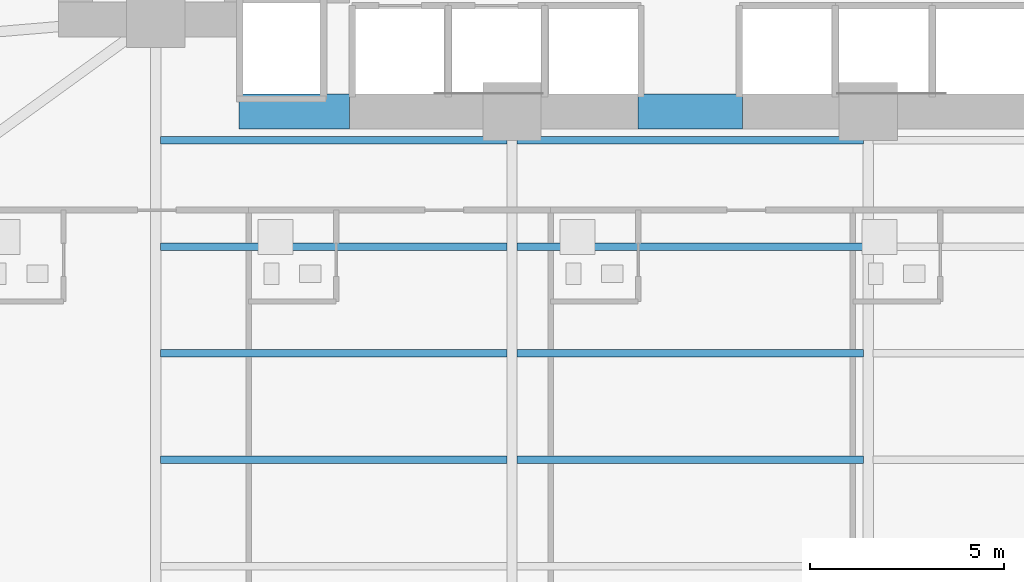
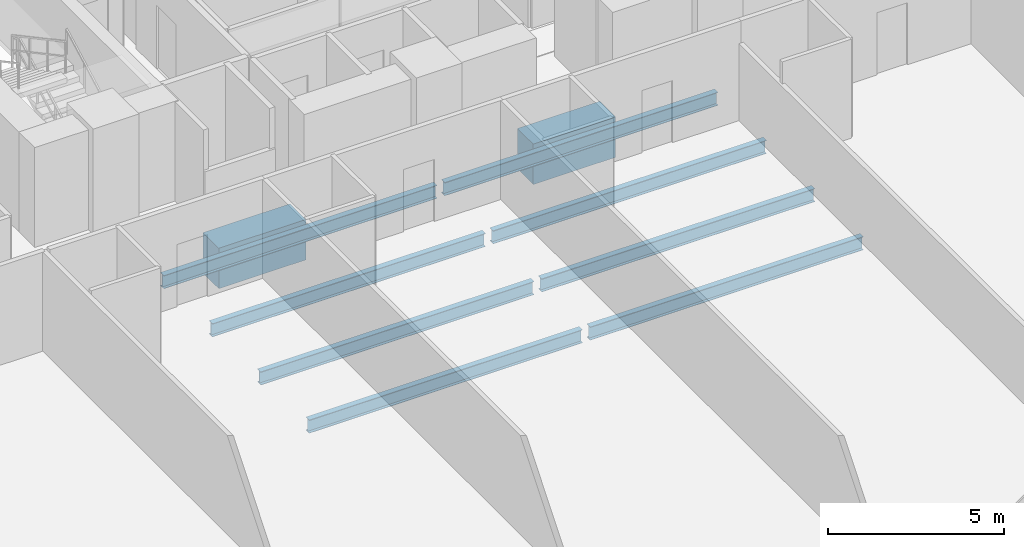
# One storey, part 7 of 28: 10 beams.
"""IFC4 building model written with IfcOpenShell, lengths in metres."""

from ifc_helpers import new_model, si_unit, direction, frame, origin, origin_2d, place, context, subcontext, project, spatial, rectangle, i_section, extrude, material, material_profile, profile_set, type_object, element, save


model = new_model("IFC4")

# Units and contexts
model_context = context("Model", 3, precision=1e-05, world=origin(), true_north=direction((0.0, 1.0)))
body_context = subcontext(model_context, "Body", "Model", "MODEL_VIEW")
ifc_project = project(units=[si_unit("LENGTHUNIT", "METRE"), si_unit("AREAUNIT", "SQUARE_METRE"), si_unit("VOLUMEUNIT", "CUBIC_METRE"), si_unit("PLANEANGLEUNIT", "RADIAN"), si_unit("MASSUNIT", "GRAM", prefix="KILO")], contexts=[model_context])

# Site, building, storey
site_placement = place(None, origin())
site = spatial("IfcSite", under=ifc_project, at=site_placement, CompositionType="ELEMENT")
building_placement = place(site_placement, origin())
building = spatial("IfcBuilding", under=site, at=building_placement, Name="Zuhayl Quay Hotel", CompositionType="ELEMENT")
storey_placement = place(building_placement, frame((0.0, 0.0, 49.5)))
storey = spatial("IfcBuildingStorey", under=building, at=storey_placement, Name="L11", CompositionType="ELEMENT", Elevation=49.5)

# Beams
ifc_material_1 = material(Name="Concrete C60/75", Category="concrete")
ifc_material_profile_1 = material_profile(ifc_material_1, rectangle(XDim=0.89990234375, YDim=1.39990234375, at=origin_2d()), Name="RC900X1400")
ifc_profile_set_1 = profile_set([ifc_material_profile_1], Name="Concrete C60/75")
beam_type_1 = type_object("IfcBeamType", Name="BM_CB1_RC900", PredefinedType="T_BEAM", material=ifc_profile_set_1)
beam_1_placement = place(storey_placement, frame((-11.64990234375, 2.14990234375, -0.919921875), z_axis=(1.0, 0.0, 0.0), x_axis=(0.0, 1.0, 0.0)))
element("IfcBeam", 1, at=beam_1_placement, inside=storey, type_object=beam_type_1, Name="L11 Core Coupling Beam SW", PredefinedType="T_BEAM", context=body_context, shape_type="SweptSolid", body=[
    extrude(rectangle(XDim=0.89990234375, YDim=1.39990234375, at=origin_2d()), origin(), (0.0, 0.0, 1.0), 2.849853515625),
])
beam_2_placement = place(storey_placement, frame((-1.35009765625, 2.14990234375, -0.919921875), z_axis=(1.0, 0.0, 0.0), x_axis=(0.0, 1.0, 0.0)))
element("IfcBeam", 2, at=beam_2_placement, inside=storey, type_object=beam_type_1, Name="L11 Core Coupling Beam South", PredefinedType="T_BEAM", context=body_context, shape_type="SweptSolid", body=[
    extrude(rectangle(XDim=0.89990234375, YDim=1.39990234375, at=origin_2d()), origin(), (0.0, 0.0, 1.0), 2.7001953125),
])
ifc_material_2 = material(Name="Steel ASTM A992 Grade 50", Category="steel")
ifc_material_profile_2 = material_profile(ifc_material_2, i_section(OverallWidth=0.18994140625, OverallDepth=0.45703125, WebThickness=0.009033203125, FlangeThickness=0.014404296875, at=origin_2d()), Name="W18X50")
ifc_profile_set_2 = profile_set([ifc_material_profile_2], Name="Steel ASTM A992 Grade 50")
beam_type_2 = type_object("IfcBeamType", Name="BM_J2_W18X50", PredefinedType="JOIST", material=ifc_profile_set_2)
beam_3_placement = place(storey_placement, frame((-13.674560546875, -6.85009765625, -0.448486328125), z_axis=(1.0, 0.0, 0.0), x_axis=(0.0, 1.0, 0.0)))
element("IfcBeam", 3, at=beam_3_placement, inside=storey, type_object=beam_type_2, Name="L11 Floor Beam FJ_L11_7_1", PredefinedType="JOIST", context=body_context, shape_type="SweptSolid", body=[
    extrude(i_section(OverallWidth=0.18994140625, OverallDepth=0.45703125, WebThickness=0.009033203125, FlangeThickness=0.014404296875, at=origin_2d()), origin(), (0.0, 0.0, 1.0), 8.948974609375),
])
beam_4_placement = place(storey_placement, frame((-4.474609375, -6.85009765625, -0.448486328125), z_axis=(1.0, 0.0, 0.0), x_axis=(0.0, 1.0, 0.0)))
element("IfcBeam", 4, at=beam_4_placement, inside=storey, type_object=beam_type_2, Name="L11 Floor Beam FJ_L11_7_2", PredefinedType="JOIST", context=body_context, shape_type="SweptSolid", body=[
    extrude(i_section(OverallWidth=0.18994140625, OverallDepth=0.45703125, WebThickness=0.009033203125, FlangeThickness=0.014404296875, at=origin_2d()), origin(), (0.0, 0.0, 1.0), 8.94921875),
])
beam_5_placement = place(storey_placement, frame((-13.674560546875, -4.10009765625, -0.448486328125), z_axis=(1.0, 0.0, 0.0), x_axis=(0.0, 1.0, 0.0)))
element("IfcBeam", 5, at=beam_5_placement, inside=storey, type_object=beam_type_2, Name="L11 Floor Beam FJ_L11_8_1", PredefinedType="JOIST", context=body_context, shape_type="SweptSolid", body=[
    extrude(i_section(OverallWidth=0.18994140625, OverallDepth=0.45703125, WebThickness=0.009033203125, FlangeThickness=0.014404296875, at=origin_2d()), origin(), (0.0, 0.0, 1.0), 8.948974609375),
])
beam_6_placement = place(storey_placement, frame((-4.474609375, -4.10009765625, -0.448486328125), z_axis=(1.0, 0.0, 0.0), x_axis=(0.0, 1.0, 0.0)))
element("IfcBeam", 6, at=beam_6_placement, inside=storey, type_object=beam_type_2, Name="L11 Floor Beam FJ_L11_8_2", PredefinedType="JOIST", context=body_context, shape_type="SweptSolid", body=[
    extrude(i_section(OverallWidth=0.18994140625, OverallDepth=0.45703125, WebThickness=0.009033203125, FlangeThickness=0.014404296875, at=origin_2d()), origin(), (0.0, 0.0, 1.0), 8.94921875),
])
beam_7_placement = place(storey_placement, frame((-13.674560546875, -1.35009765625, -0.448486328125), z_axis=(1.0, 0.0, 0.0), x_axis=(0.0, 1.0, 0.0)))
element("IfcBeam", 7, at=beam_7_placement, inside=storey, type_object=beam_type_2, Name="L11 Floor Beam FJ_L11_9_1", PredefinedType="JOIST", context=body_context, shape_type="SweptSolid", body=[
    extrude(i_section(OverallWidth=0.18994140625, OverallDepth=0.45703125, WebThickness=0.009033203125, FlangeThickness=0.014404296875, at=origin_2d()), origin(), (0.0, 0.0, 1.0), 8.948974609375),
])
beam_8_placement = place(storey_placement, frame((-4.474609375, -1.35009765625, -0.448486328125), z_axis=(1.0, 0.0, 0.0), x_axis=(0.0, 1.0, 0.0)))
element("IfcBeam", 8, at=beam_8_placement, inside=storey, type_object=beam_type_2, Name="L11 Floor Beam FJ_L11_9_2", PredefinedType="JOIST", context=body_context, shape_type="SweptSolid", body=[
    extrude(i_section(OverallWidth=0.18994140625, OverallDepth=0.45703125, WebThickness=0.009033203125, FlangeThickness=0.014404296875, at=origin_2d()), origin(), (0.0, 0.0, 1.0), 8.94921875),
])
beam_9_placement = place(storey_placement, frame((-13.674560546875, 1.39990234375, -0.448486328125), z_axis=(1.0, 0.0, 0.0), x_axis=(0.0, 1.0, 0.0)))
element("IfcBeam", 9, at=beam_9_placement, inside=storey, type_object=beam_type_2, Name="L11 Floor Beam FJ_L11_10_1", PredefinedType="JOIST", context=body_context, shape_type="SweptSolid", body=[
    extrude(i_section(OverallWidth=0.18994140625, OverallDepth=0.45703125, WebThickness=0.009033203125, FlangeThickness=0.014404296875, at=origin_2d()), origin(), (0.0, 0.0, 1.0), 8.948974609375),
])
beam_10_placement = place(storey_placement, frame((-4.474609375, 1.39990234375, -0.448486328125), z_axis=(1.0, 0.0, 0.0), x_axis=(0.0, 1.0, 0.0)))
element("IfcBeam", 10, at=beam_10_placement, inside=storey, type_object=beam_type_2, Name="L11 Floor Beam FJ_L11_10_2", PredefinedType="JOIST", context=body_context, shape_type="SweptSolid", body=[
    extrude(i_section(OverallWidth=0.18994140625, OverallDepth=0.45703125, WebThickness=0.009033203125, FlangeThickness=0.014404296875, at=origin_2d()), origin(), (0.0, 0.0, 1.0), 8.94921875),
])

save(model, "model.ifc")
